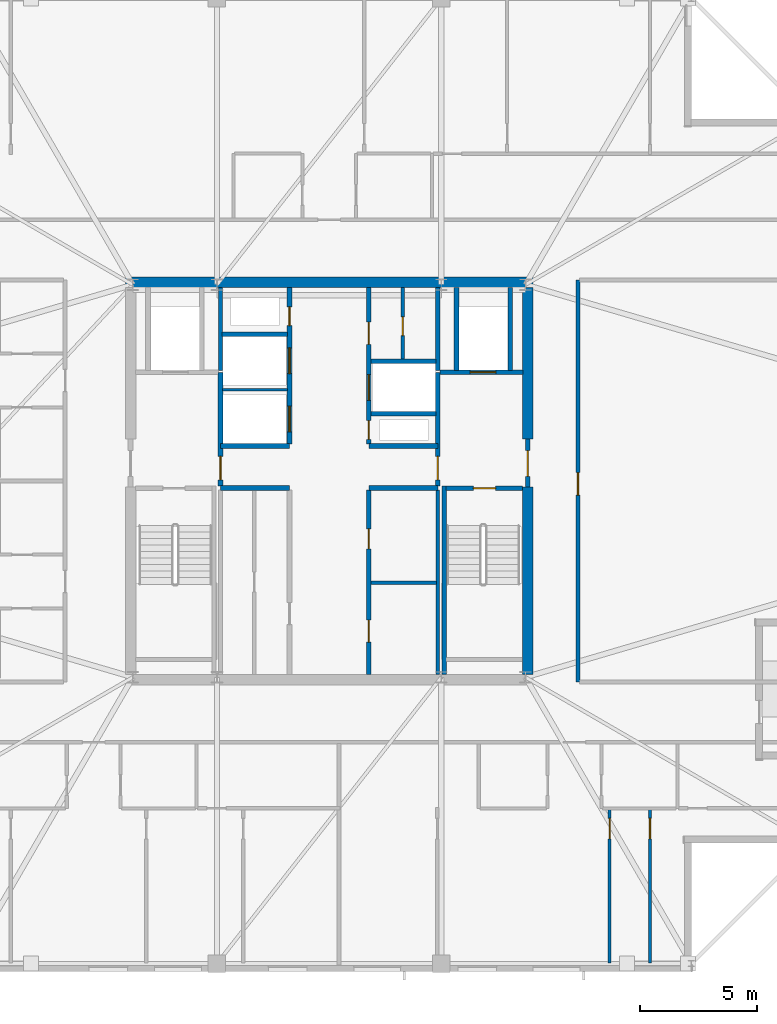
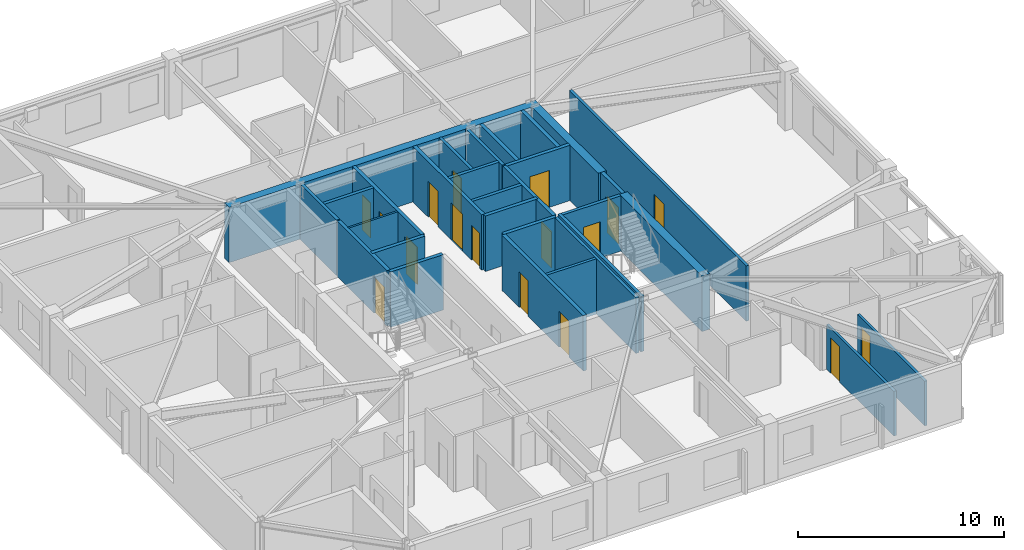
# One storey, part 9 of 14: 30 walls, 17 doors, 17 openings.
"""IFC4 building model written with IfcOpenShell, lengths in metres."""

from ifc_helpers import new_model, si_unit, direction, frame, frame_2d, origin, place, context, subcontext, project, spatial, rectangle, extrude, material, layer, layer_set, type_object, element, fill, save


model = new_model("IFC4")

# Units and contexts
model_context = context("Model", 3, precision=1e-05, world=origin(), true_north=direction((0.0, 1.0)))
body_context = subcontext(model_context, "Body", "Model", "MODEL_VIEW")
ifc_project = project(units=[si_unit("LENGTHUNIT", "METRE"), si_unit("AREAUNIT", "SQUARE_METRE"), si_unit("VOLUMEUNIT", "CUBIC_METRE"), si_unit("PLANEANGLEUNIT", "RADIAN"), si_unit("MASSUNIT", "GRAM", prefix="KILO")], contexts=[model_context])

# Site, building, storey
site_placement = place(None, origin())
site = spatial("IfcSite", under=ifc_project, at=site_placement, CompositionType="ELEMENT")
building_placement = place(site_placement, origin())
building = spatial("IfcBuilding", under=site, at=building_placement, Name="Cairnveth Concourse Tower", CompositionType="ELEMENT")
storey_placement = place(building_placement, frame((0.0, 0.0, 294.5)))
storey = spatial("IfcBuildingStorey", under=building, at=storey_placement, Name="L81", CompositionType="ELEMENT", Elevation=294.5)

# Walls
ifc_material_1 = material(Name="Gypsum Plasterboard Partition", Category="gypsum")
ifc_layer_1 = layer(ifc_material_1, 0.159912109375)
ifc_layer_set_1 = layer_set([ifc_layer_1], Name="Gypsum Plasterboard Partition")
wall_type_1 = type_object("IfcWallType", Name="ACOUSTIC PARTY WALL 180", PredefinedType="PARTITIONING", material=ifc_layer_set_1)
wall_1_placement = place(storey_placement, frame((56.64990234375, 30.7099609375, 0.0), z_axis=(0.0, 0.0, 1.0), x_axis=(0.0, 1.0, 0.0)))
element("IfcWall", 1, at=wall_1_placement, inside=storey, type_object=wall_type_1, Name="Interior Wall IW-L81-027", PredefinedType="PARTITIONING", context=body_context, shape_type="SweptSolid", body=[
    extrude(rectangle(XDim=7.905029296875, YDim=0.159912109375, at=frame_2d((3.95263671875, 0.0))), origin(), (0.0, 0.0, 1.0), 3.2900390625),
])
wall_2_placement = place(storey_placement, frame((53.784912109375, 34.64990234375, 0.0), z_axis=(0.0, 0.0, 1.0), x_axis=(1.0, 0.0, 0.0)))
element("IfcWall", 2, at=wall_2_placement, inside=storey, type_object=wall_type_1, Name="Interior Wall IW-L81-028", PredefinedType="PARTITIONING", context=body_context, shape_type="SweptSolid", body=[
    extrude(rectangle(XDim=2.800048828125, YDim=0.159912109375, at=frame_2d((1.39990234375, 0.0))), origin(), (0.0, 0.0, 1.0), 3.2900390625),
])

# Wall, opening, door
wall_3_placement = place(storey_placement, frame((55.14990234375, 44.195068359375, 0.0), z_axis=(0.0, 0.0, 1.0), x_axis=(0.0, 1.0, 0.0)))
wall_3 = element("IfcWall", 3, at=wall_3_placement, inside=storey, type_object=wall_type_1, Name="Interior Wall IW-L81-035", PredefinedType="PARTITIONING", context=body_context, shape_type="SweptSolid", body=[
    extrude(rectangle(XDim=3.094970703125, YDim=0.159912109375, at=frame_2d((1.54736328125, 0.0))), origin(), (0.0, 0.0, 1.0), 3.2900390625),
])
opening_1_placement = place(wall_3_placement, frame((1.02490234375, 0.0, 0.0)))
opening_1 = element("IfcOpeningElement", 4, at=opening_1_placement, cuts=wall_3, Name="Opening ID23", PredefinedType="OPENING", context=body_context, shape_type="SweptSolid", body=[
    extrude(rectangle(XDim=0.800048828125, YDim=2.10009765625, at=frame_2d((0.39990234375, 1.050048828125))), frame((0.0, 0.08984375, 0.0), z_axis=(0.0, -1.0, 0.0), x_axis=(1.0, 0.0, 0.0)), (0.0, 0.0, 1.0), 0.179931640625),
])
ifc_material_2 = material(Name="Steel Grade 350", Category="steel")
door_type_1 = type_object("IfcDoorType", Name="CORE SERVICE DOOR 800X2100", OperationType="NOTDEFINED", PredefinedType="DOOR", material=ifc_material_2)
door_1_placement = place(opening_1_placement, origin())
door_1 = element("IfcDoor", 5, at=door_1_placement, inside=storey, type_object=door_type_1, Name="NE Linen Closet Door L81", OperationType="SINGLE_SWING_LEFT", OverallHeight=2.10009765625, OverallWidth=0.800048828125, PredefinedType="DOOR", context=body_context, shape_type="SweptSolid", body=[
    extrude(rectangle(XDim=0.800048828125, YDim=2.10009765625, at=frame_2d((0.39990234375, 1.050048828125))), frame((0.0, 0.02490234375, 0.0), z_axis=(0.0, -1.0, 0.0), x_axis=(1.0, 0.0, 0.0)), (0.0, 0.0, 1.0), 0.050048828125),
])
fill(opening_1, door_1)

wall_4_placement = place(storey_placement, frame((62.64990234375, 30.39990234375, 0.0), z_axis=(0.0, 0.0, 1.0), x_axis=(0.0, 1.0, 0.0)))
wall_4 = element("IfcWall", 6, at=wall_4_placement, inside=storey, type_object=wall_type_1, Name="Interior Wall IW-L81-039", PredefinedType="PARTITIONING", context=body_context, shape_type="SweptSolid", body=[
    extrude(rectangle(XDim=17.2001953125, YDim=0.159912109375, at=frame_2d((8.60009765625, 0.0))), origin(), (0.0, 0.0, 1.0), 3.2900390625),
])
opening_2_placement = place(wall_4_placement, frame((8.0, 0.0, 0.0)))
opening_2 = element("IfcOpeningElement", 7, at=opening_2_placement, cuts=wall_4, Name="Opening ID11", PredefinedType="OPENING", context=body_context, shape_type="SweptSolid", body=[
    extrude(rectangle(XDim=0.9599609375, YDim=2.1201171875, at=frame_2d((0.47998046875, 1.06005859375))), frame((0.0, 0.08984375, 0.0), z_axis=(0.0, -1.0, 0.0), x_axis=(1.0, 0.0, 0.0)), (0.0, 0.0, 1.0), 0.179931640625),
])
ifc_material_3 = material(Name="Solid Core Hardwood Timber Leaf", Category="wood")
door_type_2 = type_object("IfcDoorType", Name="INTERIOR SINGLE DOOR 960X2150", OperationType="NOTDEFINED", PredefinedType="DOOR", material=ifc_material_3)
door_2_placement = place(opening_2_placement, origin())
door_2 = element("IfcDoor", 8, at=door_2_placement, inside=storey, type_object=door_type_2, Name="Interior Door DR-L81-048", OperationType="SINGLE_SWING_RIGHT", OverallHeight=2.1201171875, OverallWidth=0.9599609375, PredefinedType="DOOR", context=body_context, shape_type="SweptSolid", body=[
    extrude(rectangle(XDim=0.9599609375, YDim=2.1201171875, at=frame_2d((0.47998046875, 1.06005859375))), frame((0.0, 0.02490234375, 0.0), z_axis=(0.0, -1.0, 0.0), x_axis=(1.0, 0.0, 0.0)), (0.0, 0.0, 1.0), 0.050048828125),
])
fill(opening_2, door_2)

# Walls
ifc_material_4 = material(Name="Concrete N65 (65 MPa)", Category="concrete")
ifc_layer_2 = layer(ifc_material_4, 0.449951171875)
ifc_layer_set_2 = layer_set([ifc_layer_2], Name="Concrete N65 (65 MPa)")
wall_type_2 = type_object("IfcWallType", Name="CORE SHEAR WALL 450", PredefinedType="SHEAR", material=ifc_layer_set_2)
wall_5_placement = place(storey_placement, frame((43.27490234375, 47.5, 0.0), z_axis=(0.0, 0.0, 1.0), x_axis=(1.0, 0.0, 0.0)))
element("IfcWall", 9, at=wall_5_placement, inside=storey, type_object=wall_type_2, Name="Core North Shear Wall L81", PredefinedType="SHEAR", context=body_context, shape_type="SweptSolid", body=[
    extrude(rectangle(XDim=17.4501953125, YDim=0.449951171875, at=frame_2d((8.72509765625, 0.0))), origin(), (0.0, 0.0, 1.0), 3.2900390625),
])
wall_6_placement = place(storey_placement, frame((60.5, 30.715087890625, 0.0), z_axis=(0.0, 0.0, 1.0), x_axis=(0.0, 1.0, 0.0)))
element("IfcWall", 10, at=wall_6_placement, inside=storey, type_object=wall_type_2, Name="Core East Shear Wall S L81", PredefinedType="SHEAR", context=body_context, shape_type="SweptSolid", body=[
    extrude(rectangle(XDim=8.034912109375, YDim=0.449951171875, at=frame_2d((4.017578125, 0.0))), origin(), (0.0, 0.0, 1.0), 3.2900390625),
])
wall_7_placement = place(storey_placement, frame((60.5, 40.800048828125, 0.0), z_axis=(0.0, 0.0, 1.0), x_axis=(0.0, 1.0, 0.0)))
element("IfcWall", 11, at=wall_7_placement, inside=storey, type_object=wall_type_2, Name="Core East Shear Wall N L81", PredefinedType="SHEAR", context=body_context, shape_type="SweptSolid", body=[
    extrude(rectangle(XDim=6.48486328125, YDim=0.449951171875, at=frame_2d((3.242431640625, 0.0))), origin(), (0.0, 0.0, 1.0), 3.2900390625),
])
ifc_material_5 = material(Name="Concrete N50 (50 MPa)", Category="concrete")
ifc_layer_3 = layer(ifc_material_5, 0.179931640625)
ifc_layer_set_3 = layer_set([ifc_layer_3], Name="Concrete N50 (50 MPa)")
wall_type_3 = type_object("IfcWallType", Name="FIRE SHAFT WALL 180", PredefinedType="SOLIDWALL", material=ifc_layer_set_3)
wall_8_placement = place(storey_placement, frame((47.35009765625, 43.735107421875, 0.0), z_axis=(0.0, 0.0, 1.0), x_axis=(0.0, 1.0, 0.0)))
element("IfcWall", 12, at=wall_8_placement, inside=storey, type_object=wall_type_3, Name="Interior Wall IW-L81-029", PredefinedType="SOLIDWALL", context=body_context, shape_type="SweptSolid", body=[
    extrude(rectangle(XDim=3.554931640625, YDim=0.179931640625, at=frame_2d((1.77734375, 0.0))), origin(), (0.0, 0.0, 1.0), 3.2900390625),
])
wall_9_placement = place(storey_placement, frame((47.425048828125, 45.280029296875, 0.0), z_axis=(0.0, 0.0, 1.0), x_axis=(1.0, 0.0, 0.0)))
element("IfcWall", 13, at=wall_9_placement, inside=storey, type_object=wall_type_3, Name="Interior Wall IW-L81-031", PredefinedType="SOLIDWALL", context=body_context, shape_type="SweptSolid", body=[
    extrude(rectangle(XDim=2.7900390625, YDim=0.179931640625, at=frame_2d((1.39501953125, 0.0))), origin(), (0.0, 0.0, 1.0), 3.2900390625),
])
wall_10_placement = place(storey_placement, frame((56.64990234375, 43.735107421875, 0.0), z_axis=(0.0, 0.0, 1.0), x_axis=(0.0, 1.0, 0.0)))
element("IfcWall", 14, at=wall_10_placement, inside=storey, type_object=wall_type_3, Name="Interior Wall IW-L81-032", PredefinedType="SOLIDWALL", context=body_context, shape_type="SweptSolid", body=[
    extrude(rectangle(XDim=3.554931640625, YDim=0.179931640625, at=frame_2d((1.77734375, 0.0))), origin(), (0.0, 0.0, 1.0), 3.2900390625),
])
wall_11_placement = place(storey_placement, frame((53.784912109375, 41.8798828125, 0.0), z_axis=(0.0, 0.0, 1.0), x_axis=(1.0, 0.0, 0.0)))
element("IfcWall", 15, at=wall_11_placement, inside=storey, type_object=wall_type_3, Name="Interior Wall IW-L81-033", PredefinedType="SOLIDWALL", context=body_context, shape_type="SweptSolid", body=[
    extrude(rectangle(XDim=2.780029296875, YDim=0.179931640625, at=frame_2d((1.39013671875, 0.0))), origin(), (0.0, 0.0, 1.0), 3.2900390625),
])
wall_12_placement = place(storey_placement, frame((53.784912109375, 44.1201171875, 0.0), z_axis=(0.0, 0.0, 1.0), x_axis=(1.0, 0.0, 0.0)))
element("IfcWall", 16, at=wall_12_placement, inside=storey, type_object=wall_type_3, Name="Interior Wall IW-L81-034", PredefinedType="SOLIDWALL", context=body_context, shape_type="SweptSolid", body=[
    extrude(rectangle(XDim=2.7900390625, YDim=0.179931640625, at=frame_2d((1.39501953125, 0.0))), origin(), (0.0, 0.0, 1.0), 3.2900390625),
])

# Wall, opening, door
wall_13_placement = place(storey_placement, frame((57.0048828125, 38.68994140625, 0.0), z_axis=(0.0, 0.0, 1.0), x_axis=(1.0, 0.0, 0.0)))
wall_13 = element("IfcWall", 17, at=wall_13_placement, inside=storey, type_object=wall_type_3, Name="Stair ST-2 Shaft Wall NEAR L81", PredefinedType="SOLIDWALL", context=body_context, shape_type="SweptSolid", body=[
    extrude(rectangle(XDim=3.280029296875, YDim=0.179931640625, at=frame_2d((1.64013671875, 0.0))), origin(), (0.0, 0.0, 1.0), 3.2900390625),
])
opening_3_placement = place(wall_13_placement, frame((1.1650390625, 0.0, 0.0)))
opening_3 = element("IfcOpeningElement", 18, at=opening_3_placement, cuts=wall_13, Name="Opening ID12", PredefinedType="OPENING", context=body_context, shape_type="SweptSolid", body=[
    extrude(rectangle(XDim=0.949951171875, YDim=2.14990234375, at=frame_2d((0.47509765625, 1.074951171875))), frame((0.0, 0.099853515625, 0.0), z_axis=(0.0, -1.0, 0.0), x_axis=(1.0, 0.0, 0.0)), (0.0, 0.0, 1.0), 0.199951171875),
])
door_type_3 = type_object("IfcDoorType", Name="FIRE STAIR DOOR 950X2150", OperationType="NOTDEFINED", PredefinedType="DOOR", material=ifc_material_2)
door_3_placement = place(opening_3_placement, origin())
door_3 = element("IfcDoor", 19, at=door_3_placement, inside=storey, type_object=door_type_3, Name="Stair ST-2 Fire Door L81", OperationType="SINGLE_SWING_RIGHT", OverallHeight=2.14990234375, OverallWidth=0.949951171875, PredefinedType="DOOR", context=body_context, shape_type="SweptSolid", body=[
    extrude(rectangle(XDim=0.949951171875, YDim=2.14990234375, at=frame_2d((0.47509765625, 1.074951171875))), frame((0.0, 0.02490234375, 0.0), z_axis=(0.0, -1.0, 0.0), x_axis=(1.0, 0.0, 0.0)), (0.0, 0.0, 1.0), 0.050048828125),
])
fill(opening_3, door_3)

# Walls
wall_14_placement = place(storey_placement, frame((56.929931640625, 38.780029296875, 0.0), z_axis=(0.0, 0.0, 1.0), x_axis=(0.0, -1.0, 0.0)))
element("IfcWall", 20, at=wall_14_placement, inside=storey, type_object=wall_type_3, Name="Stair ST-2 Shaft Wall LEFT L81", PredefinedType="SOLIDWALL", context=body_context, shape_type="SweptSolid", body=[
    extrude(rectangle(XDim=8.067138671875, YDim=0.179931640625, at=frame_2d((4.03369140625, 0.0))), origin(), (0.0, 0.0, 1.0), 3.2900390625),
])
ifc_layer_4 = layer(ifc_material_5, 0.199951171875)
ifc_layer_set_4 = layer_set([ifc_layer_4], Name="Concrete N50 (50 MPa)")
wall_type_4 = type_object("IfcWallType", Name="FIRE SHAFT WALL 200", PredefinedType="SOLIDWALL", material=ifc_layer_set_4)
for number, where, z_axis, x_axis, name in (
    (21, (47.35009765625, 38.699951171875, 0.0), (0.0, 0.0, 1.0), (1.0, 0.0, 0.0), "Interior Wall IW-L81-007"),
    (22, (47.35009765625, 40.5, 0.0), (0.0, 0.0, 1.0), (1.0, 0.0, 0.0), "Interior Wall IW-L81-008"),
    (23, (53.699951171875, 38.699951171875, 0.0), (0.0, 0.0, 1.0), (1.0, 0.0, 0.0), "Interior Wall IW-L81-009"),
    (24, (53.699951171875, 40.5, 0.0), (0.0, 0.0, 1.0), (1.0, 0.0, 0.0), "Interior Wall IW-L81-010"),
):
    element("IfcWall", number, at=place(storey_placement, frame(where, z_axis=z_axis, x_axis=x_axis)), inside=storey, type_object=wall_type_4, Name=name, PredefinedType="SOLIDWALL", context=body_context, shape_type="SweptSolid", body=[
        extrude(rectangle(XDim=2.949951171875, YDim=0.199951171875, at=frame_2d((1.47509765625, 0.0))), origin(), (0.0, 0.0, 1.0), 3.2900390625),
    ])

# Wall, openings, doors
wall_15_placement = place(storey_placement, frame((53.699951171875, 30.7099609375, 0.0), z_axis=(0.0, 0.0, 1.0), x_axis=(0.0, 1.0, 0.0)))
wall_15 = element("IfcWall", 25, at=wall_15_placement, inside=storey, type_object=wall_type_4, Name="Interior Wall IW-L81-012", PredefinedType="SOLIDWALL", context=body_context, shape_type="SweptSolid", body=[
    extrude(rectangle(XDim=7.905029296875, YDim=0.199951171875, at=frame_2d((3.95263671875, 0.0))), origin(), (0.0, 0.0, 1.0), 3.2900390625),
])
opening_4_placement = place(wall_15_placement, frame((1.389892578125, 0.0, 0.0)))
opening_4 = element("IfcOpeningElement", 26, at=opening_4_placement, cuts=wall_15, Name="Opening ID25", PredefinedType="OPENING", context=body_context, shape_type="SweptSolid", body=[
    extrude(rectangle(XDim=0.949951171875, YDim=2.1201171875, at=frame_2d((0.47509765625, 1.06005859375))), frame((0.0, 0.10986328125, 0.0), z_axis=(0.0, -1.0, 0.0), x_axis=(1.0, 0.0, 0.0)), (0.0, 0.0, 1.0), 0.219970703125),
])
opening_5_placement = place(wall_15_placement, frame((5.389892578125, 0.0, 0.0)))
opening_5 = element("IfcOpeningElement", 27, at=opening_5_placement, cuts=wall_15, Name="Opening ID19", PredefinedType="OPENING", context=body_context, shape_type="SweptSolid", body=[
    extrude(rectangle(XDim=0.85009765625, YDim=2.1201171875, at=frame_2d((0.425048828125, 1.06005859375))), frame((0.0, 0.10986328125, 0.0), z_axis=(0.0, -1.0, 0.0), x_axis=(1.0, 0.0, 0.0)), (0.0, 0.0, 1.0), 0.219970703125),
])
door_type_4 = type_object("IfcDoorType", Name="CORE ACCESSIBLE FIRE DOOR 950X2120", OperationType="NOTDEFINED", PredefinedType="DOOR", material=ifc_material_2)
door_4_placement = place(opening_4_placement, origin())
door_4 = element("IfcDoor", 28, at=door_4_placement, inside=storey, type_object=door_type_4, Name="Sky WC Door L81", OperationType="SINGLE_SWING_LEFT", OverallHeight=2.1201171875, OverallWidth=0.949951171875, PredefinedType="DOOR", context=body_context, shape_type="SweptSolid", body=[
    extrude(rectangle(XDim=0.949951171875, YDim=2.1201171875, at=frame_2d((0.47509765625, 1.06005859375))), frame((0.0, 0.02490234375, 0.0), z_axis=(0.0, -1.0, 0.0), x_axis=(1.0, 0.0, 0.0)), (0.0, 0.0, 1.0), 0.050048828125),
])
fill(opening_4, door_4)
door_type_5 = type_object("IfcDoorType", Name="CORE SERVICE DOOR 850X2100", OperationType="NOTDEFINED", PredefinedType="DOOR", material=ifc_material_2)
door_5_placement = place(opening_5_placement, origin())
door_5 = element("IfcDoor", 29, at=door_5_placement, inside=storey, type_object=door_type_5, Name="Janitor Door L81", OperationType="SINGLE_SWING_RIGHT", OverallHeight=2.1201171875, OverallWidth=0.85009765625, PredefinedType="DOOR", context=body_context, shape_type="SweptSolid", body=[
    extrude(rectangle(XDim=0.85009765625, YDim=2.1201171875, at=frame_2d((0.425048828125, 1.06005859375))), frame((0.0, 0.02490234375, 0.0), z_axis=(0.0, -1.0, 0.0), x_axis=(1.0, 0.0, 0.0)), (0.0, 0.0, 1.0), 0.050048828125),
])
fill(opening_5, door_5)

wall_16_placement = place(storey_placement, frame((50.300048828125, 40.5849609375, 0.0), z_axis=(0.0, 0.0, 1.0), x_axis=(0.0, 1.0, 0.0)))
wall_16 = element("IfcWall", 30, at=wall_16_placement, inside=storey, type_object=wall_type_4, Name="Interior Wall IW-L81-013", PredefinedType="SOLIDWALL", context=body_context, shape_type="SweptSolid", body=[
    extrude(rectangle(XDim=6.705078125, YDim=0.199951171875, at=frame_2d((3.3525390625, 0.0))), origin(), (0.0, 0.0, 1.0), 3.2900390625),
])
opening_6_placement = place(wall_16_placement, frame((0.514892578125, 0.0, 0.0)))
opening_6 = element("IfcOpeningElement", 31, at=opening_6_placement, cuts=wall_16, Name="Opening LD-1", PredefinedType="OPENING", context=body_context, shape_type="SweptSolid", body=[
    extrude(rectangle(XDim=1.10009765625, YDim=2.199951171875, at=frame_2d((0.550048828125, 1.10009765625))), frame((0.0, 0.10986328125, 0.0), z_axis=(0.0, -1.0, 0.0), x_axis=(1.0, 0.0, 0.0)), (0.0, 0.0, 1.0), 0.219970703125),
])
opening_7_placement = place(wall_16_placement, frame((3.014892578125, 0.0, 0.0)))
opening_7 = element("IfcOpeningElement", 32, at=opening_7_placement, cuts=wall_16, Name="Opening LD-1", PredefinedType="OPENING", context=body_context, shape_type="SweptSolid", body=[
    extrude(rectangle(XDim=1.10009765625, YDim=2.199951171875, at=frame_2d((0.550048828125, 1.10009765625))), frame((0.0, 0.10986328125, 0.0), z_axis=(0.0, -1.0, 0.0), x_axis=(1.0, 0.0, 0.0)), (0.0, 0.0, 1.0), 0.219970703125),
])
opening_8_placement = place(wall_16_placement, frame((5.06494140625, 0.0, 0.0)))
opening_8 = element("IfcOpeningElement", 33, at=opening_8_placement, cuts=wall_16, Name="Opening ID24", PredefinedType="OPENING", context=body_context, shape_type="SweptSolid", body=[
    extrude(rectangle(XDim=0.800048828125, YDim=2.080078125, at=frame_2d((0.39990234375, 1.0400390625))), frame((0.0, 0.10986328125, 0.0), z_axis=(0.0, -1.0, 0.0), x_axis=(1.0, 0.0, 0.0)), (0.0, 0.0, 1.0), 0.219970703125),
])
ifc_material_6 = material(Name="Architectural Bronze Anodised Aluminium 6063-T6", Category="aluminium")
door_type_6 = type_object("IfcDoorType", Name="LIFT LANDING DOOR 1100X2200", OperationType="SLIDING_TO_LEFT", PredefinedType="DOOR", material=ifc_material_6)
door_6_placement = place(opening_6_placement, origin())
door_6 = element("IfcDoor", 34, at=door_6_placement, inside=storey, type_object=door_type_6, Name="Lift PL7 Landing Door L81", OperationType="SLIDING_TO_LEFT", OverallHeight=2.199951171875, OverallWidth=1.10009765625, PredefinedType="DOOR", context=body_context, shape_type="SweptSolid", body=[
    extrude(rectangle(XDim=1.10009765625, YDim=2.199951171875, at=frame_2d((0.550048828125, 1.10009765625))), frame((0.0, 0.02490234375, 0.0), z_axis=(0.0, -1.0, 0.0), x_axis=(1.0, 0.0, 0.0)), (0.0, 0.0, 1.0), 0.050048828125),
])
fill(opening_6, door_6)
door_7_placement = place(opening_7_placement, origin())
door_7 = element("IfcDoor", 35, at=door_7_placement, inside=storey, type_object=door_type_6, Name="Lift PL8 Landing Door L81", OperationType="SLIDING_TO_LEFT", OverallHeight=2.199951171875, OverallWidth=1.10009765625, PredefinedType="DOOR", context=body_context, shape_type="SweptSolid", body=[
    extrude(rectangle(XDim=1.10009765625, YDim=2.199951171875, at=frame_2d((0.550048828125, 1.10009765625))), frame((0.0, 0.02490234375, 0.0), z_axis=(0.0, -1.0, 0.0), x_axis=(1.0, 0.0, 0.0)), (0.0, 0.0, 1.0), 0.050048828125),
])
fill(opening_7, door_7)
door_type_7 = type_object("IfcDoorType", Name="RISER ACCESS DOOR 800X2100", OperationType="NOTDEFINED", PredefinedType="DOOR", material=ifc_material_2)
door_8_placement = place(opening_8_placement, origin())
door_8 = element("IfcDoor", 36, at=door_8_placement, inside=storey, type_object=door_type_7, Name="NW Electrical Riser Access Door L81", OperationType="SINGLE_SWING_LEFT", OverallHeight=2.080078125, OverallWidth=0.800048828125, PredefinedType="DOOR", context=body_context, shape_type="SweptSolid", body=[
    extrude(rectangle(XDim=0.800048828125, YDim=2.080078125, at=frame_2d((0.39990234375, 1.0400390625))), frame((0.0, 0.02490234375, 0.0), z_axis=(0.0, -1.0, 0.0), x_axis=(1.0, 0.0, 0.0)), (0.0, 0.0, 1.0), 0.050048828125),
])
fill(opening_8, door_8)

wall_17_placement = place(storey_placement, frame((53.699951171875, 40.5849609375, 0.0), z_axis=(0.0, 0.0, 1.0), x_axis=(0.0, 1.0, 0.0)))
wall_17 = element("IfcWall", 37, at=wall_17_placement, inside=storey, type_object=wall_type_4, Name="Interior Wall IW-L81-014", PredefinedType="SOLIDWALL", context=body_context, shape_type="SweptSolid", body=[
    extrude(rectangle(XDim=6.705078125, YDim=0.199951171875, at=frame_2d((3.3525390625, 0.0))), origin(), (0.0, 0.0, 1.0), 3.2900390625),
])
opening_9_placement = place(wall_17_placement, frame((0.195068359375, 0.0, 0.0)))
opening_9 = element("IfcOpeningElement", 38, at=opening_9_placement, cuts=wall_17, Name="Opening ID24", PredefinedType="OPENING", context=body_context, shape_type="SweptSolid", body=[
    extrude(rectangle(XDim=0.800048828125, YDim=2.080078125, at=frame_2d((0.39990234375, 1.0400390625))), frame((0.0, 0.10986328125, 0.0), z_axis=(0.0, -1.0, 0.0), x_axis=(1.0, 0.0, 0.0)), (0.0, 0.0, 1.0), 0.219970703125),
])
opening_10_placement = place(wall_17_placement, frame((1.864990234375, 0.0, 0.0)))
opening_10 = element("IfcOpeningElement", 39, at=opening_10_placement, cuts=wall_17, Name="Opening LD-1", PredefinedType="OPENING", context=body_context, shape_type="SweptSolid", body=[
    extrude(rectangle(XDim=1.10009765625, YDim=2.199951171875, at=frame_2d((0.550048828125, 1.10009765625))), frame((0.0, 0.10986328125, 0.0), z_axis=(0.0, -1.0, 0.0), x_axis=(1.0, 0.0, 0.0)), (0.0, 0.0, 1.0), 0.219970703125),
])
opening_11_placement = place(wall_17_placement, frame((4.264892578125, 0.0, 0.0)))
opening_11 = element("IfcOpeningElement", 40, at=opening_11_placement, cuts=wall_17, Name="Opening ID25", PredefinedType="OPENING", context=body_context, shape_type="SweptSolid", body=[
    extrude(rectangle(XDim=0.949951171875, YDim=2.1201171875, at=frame_2d((0.47509765625, 1.06005859375))), frame((0.0, 0.10986328125, 0.0), z_axis=(0.0, -1.0, 0.0), x_axis=(1.0, 0.0, 0.0)), (0.0, 0.0, 1.0), 0.219970703125),
])
door_9_placement = place(opening_11_placement, origin())
door_9 = element("IfcDoor", 41, at=door_9_placement, inside=storey, type_object=door_type_4, Name="Core NE Restroom Door L81", OperationType="SINGLE_SWING_RIGHT", OverallHeight=2.1201171875, OverallWidth=0.949951171875, PredefinedType="DOOR", context=body_context, shape_type="SweptSolid", body=[
    extrude(rectangle(XDim=0.949951171875, YDim=2.1201171875, at=frame_2d((0.47509765625, 1.06005859375))), frame((0.0, 0.02490234375, 0.0), z_axis=(0.0, -1.0, 0.0), x_axis=(1.0, 0.0, 0.0)), (0.0, 0.0, 1.0), 0.050048828125),
])
fill(opening_11, door_9)
door_10_placement = place(opening_10_placement, origin())
door_10 = element("IfcDoor", 42, at=door_10_placement, inside=storey, type_object=door_type_6, Name="Lift PL9 Landing Door L81", OperationType="SLIDING_TO_LEFT", OverallHeight=2.199951171875, OverallWidth=1.10009765625, PredefinedType="DOOR", context=body_context, shape_type="SweptSolid", body=[
    extrude(rectangle(XDim=1.10009765625, YDim=2.199951171875, at=frame_2d((0.550048828125, 1.10009765625))), frame((0.0, 0.02490234375, 0.0), z_axis=(0.0, -1.0, 0.0), x_axis=(1.0, 0.0, 0.0)), (0.0, 0.0, 1.0), 0.050048828125),
])
fill(opening_10, door_10)
door_11_placement = place(opening_9_placement, origin())
door_11 = element("IfcDoor", 43, at=door_11_placement, inside=storey, type_object=door_type_7, Name="Hydraulic Riser Door L81", OperationType="SINGLE_SWING_RIGHT", OverallHeight=2.080078125, OverallWidth=0.800048828125, PredefinedType="DOOR", context=body_context, shape_type="SweptSolid", body=[
    extrude(rectangle(XDim=0.800048828125, YDim=2.080078125, at=frame_2d((0.39990234375, 1.0400390625))), frame((0.0, 0.02490234375, 0.0), z_axis=(0.0, -1.0, 0.0), x_axis=(1.0, 0.0, 0.0)), (0.0, 0.0, 1.0), 0.050048828125),
])
fill(opening_9, door_11)

# Wall, opening, door
wall_18_placement = place(storey_placement, frame((47.35009765625, 38.784912109375, 0.0), z_axis=(0.0, 0.0, 1.0), x_axis=(0.0, 1.0, 0.0)))
wall_18 = element("IfcWall", 44, at=wall_18_placement, inside=storey, type_object=wall_type_4, Name="Interior Wall IW-L81-016", PredefinedType="SOLIDWALL", context=body_context, shape_type="SweptSolid", body=[
    extrude(rectangle(XDim=4.864990234375, YDim=0.199951171875, at=frame_2d((2.4326171875, 0.0))), origin(), (0.0, 0.0, 1.0), 3.2900390625),
])
opening_12_placement = place(wall_18_placement, frame((0.264892578125, 0.0, 0.0)))
opening_12 = element("IfcOpeningElement", 45, at=opening_12_placement, cuts=wall_18, Name="Opening ID07", PredefinedType="OPENING", context=body_context, shape_type="SweptSolid", body=[
    extrude(rectangle(XDim=1.0, YDim=2.14990234375, at=frame_2d((0.5, 1.074951171875))), frame((0.0, 0.10986328125, 0.0), z_axis=(0.0, -1.0, 0.0), x_axis=(1.0, 0.0, 0.0)), (0.0, 0.0, 1.0), 0.219970703125),
])
door_type_8 = type_object("IfcDoorType", Name="FIRE CORRIDOR DOOR 1000X2150", OperationType="NOTDEFINED", PredefinedType="DOOR", material=ifc_material_2)
door_12_placement = place(opening_12_placement, origin())
door_12 = element("IfcDoor", 46, at=door_12_placement, inside=storey, type_object=door_type_8, Name="FF Lobby West to Lift Lobby Door L81", OperationType="SINGLE_SWING_RIGHT", OverallHeight=2.14990234375, OverallWidth=1.0, PredefinedType="DOOR", context=body_context, shape_type="SweptSolid", body=[
    extrude(rectangle(XDim=1.0, YDim=2.14990234375, at=frame_2d((0.5, 1.074951171875))), frame((0.0, 0.02490234375, 0.0), z_axis=(0.0, -1.0, 0.0), x_axis=(1.0, 0.0, 0.0)), (0.0, 0.0, 1.0), 0.050048828125),
])
fill(opening_12, door_12)

wall_19_placement = place(storey_placement, frame((60.5, 38.75, 0.0), z_axis=(0.0, 0.0, 1.0), x_axis=(0.0, 1.0, 0.0)))
wall_19 = element("IfcWall", 47, at=wall_19_placement, inside=storey, type_object=wall_type_4, Name="Interior Wall IW-L81-020", PredefinedType="SOLIDWALL", context=body_context, shape_type="SweptSolid", body=[
    extrude(rectangle(XDim=2.050048828125, YDim=0.199951171875, at=frame_2d((1.02490234375, 0.0))), origin(), (0.0, 0.0, 1.0), 3.2900390625),
])
opening_13_placement = place(wall_19_placement, frame((0.449951171875, 0.0, 0.0)))
opening_13 = element("IfcOpeningElement", 48, at=opening_13_placement, cuts=wall_19, Name="Opening ID06", PredefinedType="OPENING", context=body_context, shape_type="SweptSolid", body=[
    extrude(rectangle(XDim=1.10009765625, YDim=2.14990234375, at=frame_2d((0.550048828125, 1.074951171875))), frame((0.0, 0.10986328125, 0.0), z_axis=(0.0, -1.0, 0.0), x_axis=(1.0, 0.0, 0.0)), (0.0, 0.0, 1.0), 0.219970703125),
])
door_type_9 = type_object("IfcDoorType", Name="FIRE CORRIDOR DOOR 1100X2150", OperationType="NOTDEFINED", PredefinedType="DOOR", material=ifc_material_2)
door_13_placement = place(opening_13_placement, origin())
door_13 = element("IfcDoor", 49, at=door_13_placement, inside=storey, type_object=door_type_9, Name="East Wing to FF Lobby Door L81", OperationType="SINGLE_SWING_RIGHT", OverallHeight=2.14990234375, OverallWidth=1.10009765625, PredefinedType="DOOR", context=body_context, shape_type="SweptSolid", body=[
    extrude(rectangle(XDim=1.10009765625, YDim=2.14990234375, at=frame_2d((0.550048828125, 1.074951171875))), frame((0.0, 0.02490234375, 0.0), z_axis=(0.0, -1.0, 0.0), x_axis=(1.0, 0.0, 0.0)), (0.0, 0.0, 1.0), 0.050048828125),
])
fill(opening_13, door_13)

wall_20_placement = place(storey_placement, frame((56.64990234375, 38.784912109375, 0.0), z_axis=(0.0, 0.0, 1.0), x_axis=(0.0, 1.0, 0.0)))
wall_20 = element("IfcWall", 50, at=wall_20_placement, inside=storey, type_object=wall_type_4, Name="Interior Wall IW-L81-021", PredefinedType="SOLIDWALL", context=body_context, shape_type="SweptSolid", body=[
    extrude(rectangle(XDim=4.864990234375, YDim=0.199951171875, at=frame_2d((2.4326171875, 0.0))), origin(), (0.0, 0.0, 1.0), 3.2900390625),
])
opening_14_placement = place(wall_20_placement, frame((0.264892578125, 0.0, 0.0)))
opening_14 = element("IfcOpeningElement", 51, at=opening_14_placement, cuts=wall_20, Name="Opening ID07", PredefinedType="OPENING", context=body_context, shape_type="SweptSolid", body=[
    extrude(rectangle(XDim=1.0, YDim=2.14990234375, at=frame_2d((0.5, 1.074951171875))), frame((0.0, 0.10986328125, 0.0), z_axis=(0.0, -1.0, 0.0), x_axis=(1.0, 0.0, 0.0)), (0.0, 0.0, 1.0), 0.219970703125),
])
door_14_placement = place(opening_14_placement, origin())
door_14 = element("IfcDoor", 52, at=door_14_placement, inside=storey, type_object=door_type_8, Name="FF Lobby East to Lift Lobby Door L81", OperationType="SINGLE_SWING_LEFT", OverallHeight=2.14990234375, OverallWidth=1.0, PredefinedType="DOOR", context=body_context, shape_type="SweptSolid", body=[
    extrude(rectangle(XDim=1.0, YDim=2.14990234375, at=frame_2d((0.5, 1.074951171875))), frame((0.0, 0.02490234375, 0.0), z_axis=(0.0, -1.0, 0.0), x_axis=(1.0, 0.0, 0.0)), (0.0, 0.0, 1.0), 0.050048828125),
])
fill(opening_14, door_14)

wall_21_placement = place(storey_placement, frame((56.735107421875, 43.64990234375, 0.0), z_axis=(0.0, 0.0, 1.0), x_axis=(1.0, 0.0, 0.0)))
wall_21 = element("IfcWall", 53, at=wall_21_placement, inside=storey, type_object=wall_type_4, Name="Interior Wall IW-L81-022", PredefinedType="SOLIDWALL", context=body_context, shape_type="SweptSolid", body=[
    extrude(rectangle(XDim=3.554931640625, YDim=0.199951171875, at=frame_2d((1.77734375, 0.0))), origin(), (0.0, 0.0, 1.0), 3.2900390625),
])
opening_15_placement = place(wall_21_placement, frame((1.294921875, 0.0, 0.0)))
opening_15 = element("IfcOpeningElement", 54, at=opening_15_placement, cuts=wall_21, Name="Opening LD-1", PredefinedType="OPENING", context=body_context, shape_type="SweptSolid", body=[
    extrude(rectangle(XDim=1.10009765625, YDim=2.199951171875, at=frame_2d((0.550048828125, 1.10009765625))), frame((0.0, 0.10986328125, 0.0), z_axis=(0.0, -1.0, 0.0), x_axis=(1.0, 0.0, 0.0)), (0.0, 0.0, 1.0), 0.219970703125),
])
door_15_placement = place(opening_15_placement, origin())
door_15 = element("IfcDoor", 55, at=door_15_placement, inside=storey, type_object=door_type_6, Name="Lift FFL2 Landing Door L81", OperationType="SLIDING_TO_LEFT", OverallHeight=2.199951171875, OverallWidth=1.10009765625, PredefinedType="DOOR", context=body_context, shape_type="SweptSolid", body=[
    extrude(rectangle(XDim=1.10009765625, YDim=2.199951171875, at=frame_2d((0.550048828125, 1.10009765625))), frame((0.0, 0.02490234375, 0.0), z_axis=(0.0, -1.0, 0.0), x_axis=(1.0, 0.0, 0.0)), (0.0, 0.0, 1.0), 0.050048828125),
])
fill(opening_15, door_15)

# Walls
for number, where, z_axis, x_axis, name in (
    (56, (57.449951171875, 43.735107421875, 0.0), (0.0, 0.0, 1.0), (0.0, 1.0, 0.0), "Interior Wall IW-L81-023"),
    (57, (59.75, 43.735107421875, 0.0), (0.0, 0.0, 1.0), (0.0, 1.0, 0.0), "Interior Wall IW-L81-024"),
):
    element("IfcWall", number, at=place(storey_placement, frame(where, z_axis=z_axis, x_axis=x_axis)), inside=storey, type_object=wall_type_4, Name=name, PredefinedType="SOLIDWALL", context=body_context, shape_type="SweptSolid", body=[
        extrude(rectangle(XDim=3.554931640625, YDim=0.199951171875, at=frame_2d((1.77734375, 0.0))), origin(), (0.0, 0.0, 1.0), 3.2900390625),
    ])

# Wall, opening, door
ifc_layer_5 = layer(ifc_material_1, 0.139892578125)
ifc_layer_set_5 = layer_set([ifc_layer_5], Name="Gypsum Plasterboard Partition")
wall_type_5 = type_object("IfcWallType", Name="GYPSUM STUD PARTITION 140", PredefinedType="PARTITIONING", material=ifc_layer_set_5)
wall_22_placement = place(storey_placement, frame((65.72998046875, 18.3798828125, 0.0), z_axis=(0.0, 0.0, 1.0), x_axis=(0.0, 1.0, 0.0)))
wall_22 = element("IfcWall", 58, at=wall_22_placement, inside=storey, type_object=wall_type_5, Name="Interior Wall IW-L81-062", PredefinedType="PARTITIONING", context=body_context, shape_type="SweptSolid", body=[
    extrude(rectangle(XDim=6.5625, YDim=0.139892578125, at=frame_2d((3.28125, 0.0))), origin(), (0.0, 0.0, 1.0), 2.653076171875),
])
opening_16_placement = place(wall_22_placement, frame((5.302490234375, 0.0, 0.0)))
opening_16 = element("IfcOpeningElement", 59, at=opening_16_placement, cuts=wall_22, Name="Opening ID18", PredefinedType="OPENING", context=body_context, shape_type="SweptSolid", body=[
    extrude(rectangle(XDim=0.8798828125, YDim=2.10009765625, at=frame_2d((0.43994140625, 1.050048828125))), frame((0.0, 0.079833984375, 0.0), z_axis=(0.0, -1.0, 0.0), x_axis=(1.0, 0.0, 0.0)), (0.0, 0.0, 1.0), 0.159912109375),
])
door_type_10 = type_object("IfcDoorType", Name="INTERIOR SINGLE DOOR 880X2100", OperationType="NOTDEFINED", PredefinedType="DOOR", material=ifc_material_3)
door_16_placement = place(opening_16_placement, origin())
door_16 = element("IfcDoor", 60, at=door_16_placement, inside=storey, type_object=door_type_10, Name="L81PS2 Bedroom 2 Door", OperationType="SINGLE_SWING_LEFT", OverallHeight=2.10009765625, OverallWidth=0.8798828125, PredefinedType="DOOR", context=body_context, shape_type="SweptSolid", body=[
    extrude(rectangle(XDim=0.8798828125, YDim=2.10009765625, at=frame_2d((0.43994140625, 1.050048828125))), frame((0.0, 0.02490234375, 0.0), z_axis=(0.0, -1.0, 0.0), x_axis=(1.0, 0.0, 0.0)), (0.0, 0.0, 1.0), 0.050048828125),
])
fill(opening_16, door_16)

wall_23_placement = place(storey_placement, frame((64.001220703125, 18.3798828125, 0.0), z_axis=(0.0, 0.0, 1.0), x_axis=(0.0, 1.0, 0.0)))
wall_23 = element("IfcWall", 61, at=wall_23_placement, inside=storey, type_object=wall_type_5, Name="Interior Wall IW-L81-064", PredefinedType="PARTITIONING", context=body_context, shape_type="SweptSolid", body=[
    extrude(rectangle(XDim=6.5625, YDim=0.139892578125, at=frame_2d((3.28125, 0.0))), origin(), (0.0, 0.0, 1.0), 2.653076171875),
])
opening_17_placement = place(wall_23_placement, frame((5.302490234375, 0.0, 0.0)))
opening_17 = element("IfcOpeningElement", 62, at=opening_17_placement, cuts=wall_23, Name="Opening ID18", PredefinedType="OPENING", context=body_context, shape_type="SweptSolid", body=[
    extrude(rectangle(XDim=0.8798828125, YDim=2.10009765625, at=frame_2d((0.43994140625, 1.050048828125))), frame((0.0, 0.079833984375, 0.0), z_axis=(0.0, -1.0, 0.0), x_axis=(1.0, 0.0, 0.0)), (0.0, 0.0, 1.0), 0.159912109375),
])
door_17_placement = place(opening_17_placement, origin())
door_17 = element("IfcDoor", 63, at=door_17_placement, inside=storey, type_object=door_type_10, Name="L81PS2 Media Lounge Door", OperationType="SINGLE_SWING_RIGHT", OverallHeight=2.10009765625, OverallWidth=0.8798828125, PredefinedType="DOOR", context=body_context, shape_type="SweptSolid", body=[
    extrude(rectangle(XDim=0.8798828125, YDim=2.10009765625, at=frame_2d((0.43994140625, 1.050048828125))), frame((0.0, 0.02490234375, 0.0), z_axis=(0.0, -1.0, 0.0), x_axis=(1.0, 0.0, 0.0)), (0.0, 0.0, 1.0), 0.050048828125),
])
fill(opening_17, door_17)

# Wall
ifc_layer_6 = layer(ifc_material_1, 0.110107421875)
ifc_layer_set_6 = layer_set([ifc_layer_6], Name="Gypsum Plasterboard Partition")
wall_type_6 = type_object("IfcWallType", Name="SHAFT DIVIDER WALL 140", PredefinedType="PARTITIONING", material=ifc_layer_set_6)
wall_24_placement = place(storey_placement, frame((47.43505859375, 42.89990234375, 0.0), z_axis=(0.0, 0.0, 1.0), x_axis=(1.0, 0.0, 0.0)))
element("IfcWall", 64, at=wall_24_placement, inside=storey, type_object=wall_type_6, Name="Interior Wall IW-L81-030", PredefinedType="PARTITIONING", context=body_context, shape_type="SweptSolid", body=[
    extrude(rectangle(XDim=2.780029296875, YDim=0.110107421875, at=frame_2d((1.39013671875, 0.0))), origin(), (0.0, 0.0, 1.0), 3.2900390625),
])

save(model, "model.ifc")
